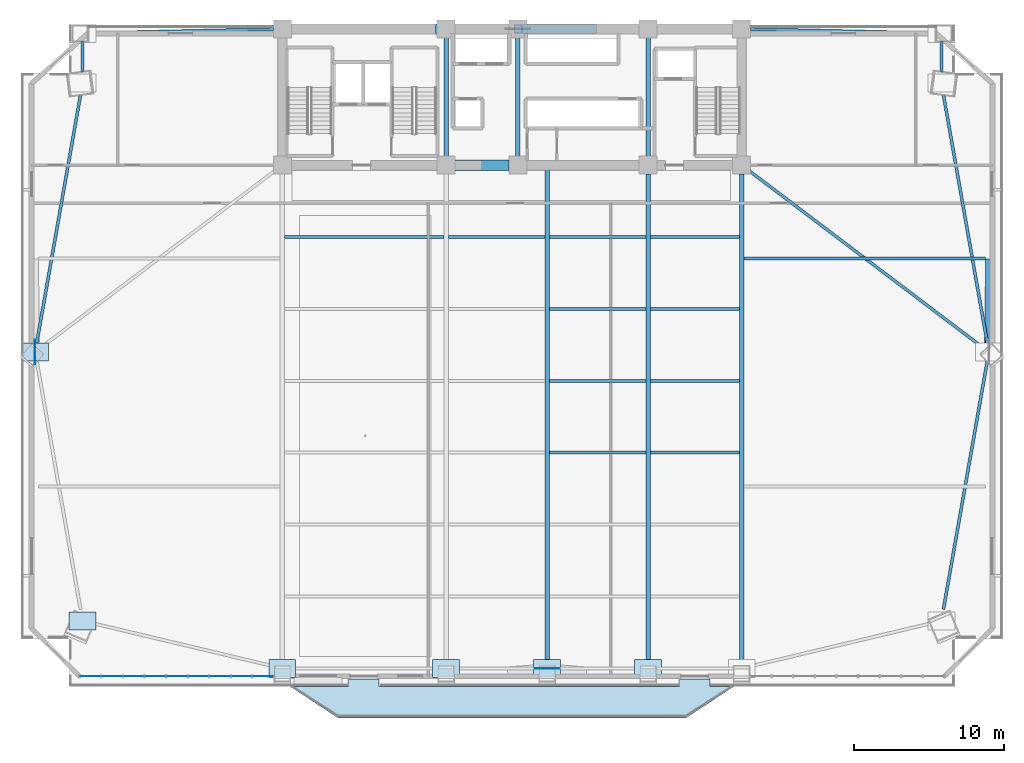
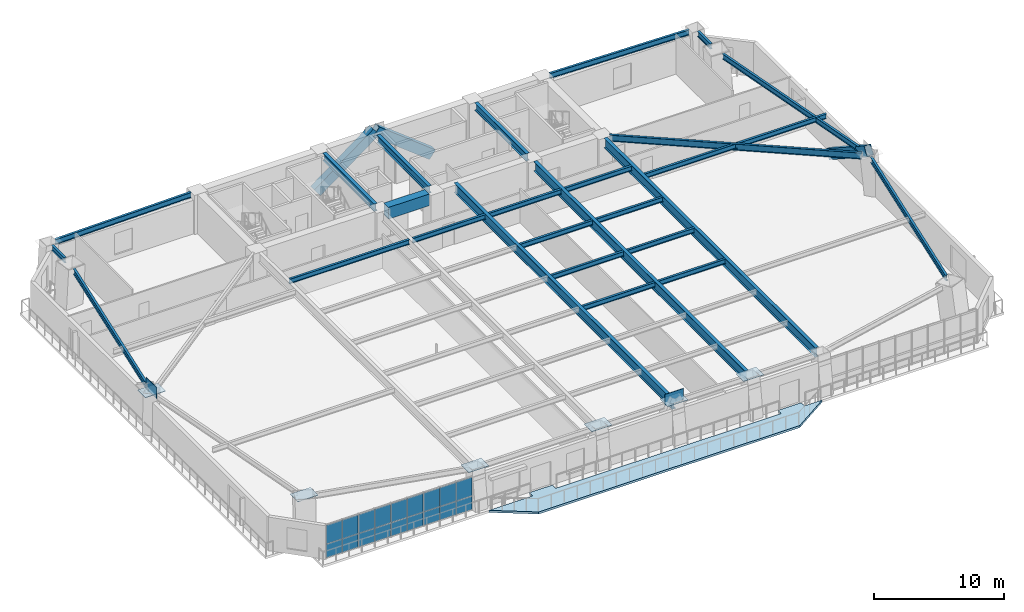
# One storey, part 7 of 17: 26 beams, 26 plates, 3 members, 1 slab, 1 element without a shape of its own.
"""IFC4 building model written with IfcOpenShell, lengths in metres."""

from ifc_helpers import new_model, si_unit, direction, frame, origin, origin_2d, place, context, subcontext, project, spatial, polyline, rectangle, hollow_rectangle, i_section, outline, extrude, source, transform, mapped, material, layer, layer_set, material_profile, profile_set, type_object, element, aggregate, save


model = new_model("IFC4")

# Units and contexts
model_context = context("Model", 3, precision=1e-05, world=origin(), true_north=direction((0.0, 1.0)))
body_context = subcontext(model_context, "Body", "Model", "MODEL_VIEW")
ifc_project = project(units=[si_unit("LENGTHUNIT", "METRE"), si_unit("AREAUNIT", "SQUARE_METRE"), si_unit("VOLUMEUNIT", "CUBIC_METRE"), si_unit("PLANEANGLEUNIT", "RADIAN"), si_unit("MASSUNIT", "GRAM", prefix="KILO")], contexts=[model_context])

# Site, building, storey
site_placement = place(None, origin())
site = spatial("IfcSite", under=ifc_project, at=site_placement, CompositionType="ELEMENT")
building_placement = place(site_placement, origin())
building = spatial("IfcBuilding", under=site, at=building_placement, Name="Giltprow Tower", CompositionType="ELEMENT")
storey_placement = place(building_placement, frame((0.0, 0.0, 33.199951171875)))
storey = spatial("IfcBuildingStorey", under=building, at=storey_placement, Name="L08", CompositionType="ELEMENT", Elevation=33.199951171875)

# Beams
ifc_material_1 = material(Name="Concrete C60", Category="concrete")
ifc_material_profile_1 = material_profile(ifc_material_1, rectangle(XDim=0.699951171875, YDim=1.10009765625, at=origin_2d()), Name="RC 1100x700")
ifc_profile_set_1 = profile_set([ifc_material_profile_1], Name="Concrete C60")
beam_type_1 = type_object("IfcBeamType", Name="BM-CPL-RC1100", PredefinedType="LINTEL", material=ifc_profile_set_1)
shared_shape_1 = source(origin(), body_context, "Body", "SweptSolid", [
    extrude(rectangle(XDim=0.699951171875, YDim=1.10009765625, at=origin_2d()), origin(), (0.0, 0.0, 1.0), 3.6298828125),
])
beam_1_placement = place(storey_placement, frame((31.385009765625, 37.449951171875, 3.130126953125), z_axis=(1.0, 0.0, 0.0), x_axis=(0.0, 1.0, 0.0)))
element("IfcBeam", 1, at=beam_1_placement, inside=storey, type_object=beam_type_1, Name="L08 Core Coupling Beam CB-1", PredefinedType="LINTEL", context=body_context, shape_type="MappedRepresentation", body=[
    mapped(shared_shape_1, transform((0.0, 0.0, 0.0), x_axis=(1.0, 0.0, 0.0), y_axis=(0.0, 1.0, 0.0), z_axis=(0.0, 0.0, 1.0), scale=1.0)),
])
ifc_material_2 = material(Name="Structural steel Q355B", Category="steel")
ifc_material_profile_2 = material_profile(ifc_material_2, i_section(OverallWidth=0.300048828125, OverallDepth=0.699951171875, WebThickness=0.012939453125, FlangeThickness=0.02392578125, at=origin_2d()), Name="HN 700x300x13x24")
ifc_profile_set_2 = profile_set([ifc_material_profile_2], Name="Structural steel Q355B")
beam_type_2 = type_object("IfcBeamType", Name="BM-GIRD-HN700", PredefinedType="BEAM", material=ifc_profile_set_2)
shared_shape_2 = source(origin(), body_context, "Body", "SweptSolid", [
    extrude(i_section(OverallWidth=0.300048828125, OverallDepth=0.699951171875, WebThickness=0.012939453125, FlangeThickness=0.02392578125, at=origin_2d()), origin(), (0.0, 0.0, 1.0), 7.93017578125),
])
for number, where, z_axis, x_axis, name in (
    (2, (30.800048828125, 38.034912109375, 3.330078125), (0.0, 1.0, 0.0), (-1.0, 0.0, 0.0), "L08 Core Tie Girder M1"),
    (3, (35.60009765625, 38.034912109375, 3.330078125), (0.0, 1.0, 0.0), (-1.0, 0.0, 0.0), "L08 Core Tie Girder M2"),
    (4, (44.300048828125, 38.034912109375, 3.330078125), (0.0, 1.0, 0.0), (-1.0, 0.0, 0.0), "L08 Core Tie Girder M3"),
):
    element("IfcBeam", number, at=place(storey_placement, frame(where, z_axis=z_axis, x_axis=x_axis)), inside=storey, type_object=beam_type_2, Name=name, PredefinedType="BEAM", context=body_context, shape_type="MappedRepresentation", body=[
        mapped(shared_shape_2, transform((0.0, 0.0, 0.0), x_axis=(1.0, 0.0, 0.0), y_axis=(0.0, 1.0, 0.0), z_axis=(0.0, 0.0, 1.0), scale=1.0)),
    ])
ifc_material_profile_3 = material_profile(ifc_material_2, i_section(OverallWidth=0.199951171875, OverallDepth=0.449951171875, WebThickness=0.009033203125, FlangeThickness=0.013916015625, at=origin_2d()), Name="HN 450x200x9x14")
ifc_profile_set_3 = profile_set([ifc_material_profile_3], Name="Structural steel Q355B")
beam_type_3 = type_object("IfcBeamType", Name="BM-JOIST-HN450", PredefinedType="JOIST", material=ifc_profile_set_3)
shared_shape_3 = source(origin(), body_context, "Body", "SweptSolid", [
    extrude(i_section(OverallWidth=0.199951171875, OverallDepth=0.449951171875, WebThickness=0.009033203125, FlangeThickness=0.013916015625, at=origin_2d()), origin(), (0.0, 0.0, 1.0), 10.659912109375),
])
beam_2_placement = place(storey_placement, frame((19.9951171875, 32.64697265625, 3.455078125), z_axis=(1.0, 0.0, 0.0), x_axis=(0.0, 1.0, 0.0)))
element("IfcBeam", 5, at=beam_2_placement, inside=storey, type_object=beam_type_3, Name="L08 Composite Floor Joist 6-1", PredefinedType="JOIST", context=body_context, shape_type="MappedRepresentation", body=[
    mapped(shared_shape_3, transform((0.0, 0.0, 0.0), x_axis=(1.0, 0.0, 0.0), y_axis=(0.0, 1.0, 0.0), z_axis=(0.0, 0.0, 1.0), scale=1.0)),
])
shared_shape_4 = source(origin(), body_context, "Body", "SweptSolid", [
    extrude(i_section(OverallWidth=0.199951171875, OverallDepth=0.449951171875, WebThickness=0.009033203125, FlangeThickness=0.013916015625, at=origin_2d()), origin(), (0.0, 0.0, 1.0), 6.4599609375),
])
for number, where, z_axis, x_axis, name in (
    (6, (37.695068359375, 18.237060546875, 3.455078125), (1.0, 0.0, 0.0), (0.0, 1.0, 0.0), "L08 Composite Floor Joist 3-3"),
    (7, (37.695068359375, 23.0400390625, 3.455078125), (1.0, 0.0, 0.0), (0.0, 1.0, 0.0), "L08 Composite Floor Joist 4-3"),
    (8, (37.695068359375, 27.843017578125, 3.455078125), (1.0, 0.0, 0.0), (0.0, 1.0, 0.0), "L08 Composite Floor Joist 5-3"),
    (9, (30.945068359375, 32.64697265625, 3.455078125), (1.0, 0.0, 0.0), (0.0, 1.0, 0.0), "L08 Composite Floor Joist 6-2"),
    (10, (37.695068359375, 32.64697265625, 3.455078125), (1.0, 0.0, 0.0), (0.0, 1.0, 0.0), "L08 Composite Floor Joist 6-3"),
):
    element("IfcBeam", number, at=place(storey_placement, frame(where, z_axis=z_axis, x_axis=x_axis)), inside=storey, type_object=beam_type_3, Name=name, PredefinedType="JOIST", context=body_context, shape_type="MappedRepresentation", body=[
        mapped(shared_shape_4, transform((0.0, 0.0, 0.0), x_axis=(1.0, 0.0, 0.0), y_axis=(0.0, 1.0, 0.0), z_axis=(0.0, 0.0, 1.0), scale=1.0)),
    ])
shared_shape_5 = source(origin(), body_context, "Body", "SweptSolid", [
    extrude(i_section(OverallWidth=0.199951171875, OverallDepth=0.449951171875, WebThickness=0.009033203125, FlangeThickness=0.013916015625, at=origin_2d()), origin(), (0.0, 0.0, 1.0), 5.9599609375),
])
for number, where, z_axis, x_axis, name in (
    (11, (44.445068359375, 18.237060546875, 3.455078125), (1.0, 0.0, 0.0), (0.0, 1.0, 0.0), "L08 Composite Floor Joist 3-4"),
    (12, (44.445068359375, 23.0400390625, 3.455078125), (1.0, 0.0, 0.0), (0.0, 1.0, 0.0), "L08 Composite Floor Joist 4-4"),
    (13, (44.445068359375, 27.843017578125, 3.455078125), (1.0, 0.0, 0.0), (0.0, 1.0, 0.0), "L08 Composite Floor Joist 5-4"),
    (14, (44.445068359375, 32.64697265625, 3.455078125), (1.0, 0.0, 0.0), (0.0, 1.0, 0.0), "L08 Composite Floor Joist 6-4"),
):
    element("IfcBeam", number, at=place(storey_placement, frame(where, z_axis=z_axis, x_axis=x_axis)), inside=storey, type_object=beam_type_3, Name=name, PredefinedType="JOIST", context=body_context, shape_type="MappedRepresentation", body=[
        mapped(shared_shape_5, transform((0.0, 0.0, 0.0), x_axis=(1.0, 0.0, 0.0), y_axis=(0.0, 1.0, 0.0), z_axis=(0.0, 0.0, 1.0), scale=1.0)),
    ])
ifc_material_profile_4 = material_profile(ifc_material_2, i_section(OverallWidth=0.199951171875, OverallDepth=0.5, WebThickness=0.010009765625, FlangeThickness=0.01611328125, at=origin_2d()), Name="HN 500x200x10x16")
ifc_profile_set_4 = profile_set([ifc_material_profile_4], Name="Structural steel Q355B")
beam_type_4 = type_object("IfcBeamType", Name="BM-SPAN-HN500", PredefinedType="SPANDREL", material=ifc_profile_set_4)
shared_shape_6 = source(origin(), body_context, "Body", "SweptSolid", [
    extrude(i_section(OverallWidth=0.199951171875, OverallDepth=0.5, WebThickness=0.010009765625, FlangeThickness=0.01611328125, at=origin_2d()), origin(), (0.0, 0.0, 1.0), 16.920166015625),
])
beam_3_placement = place(storey_placement, frame((64.028076171875, 7.77392578125, 3.429931640625), z_axis=(0.173984527619, 0.984748386213, 0.0), x_axis=(-0.984748386213, 0.173984527619, 0.0)))
element("IfcBeam", 15, at=beam_3_placement, inside=storey, type_object=beam_type_4, Name="L08 Perimeter Spandrel Beam MC_SE-E_MID", PredefinedType="SPANDREL", context=body_context, shape_type="MappedRepresentation", body=[
    mapped(shared_shape_6, transform((0.0, 0.0, 0.0), x_axis=(1.0, 0.0, 0.0), y_axis=(0.0, 1.0, 0.0), z_axis=(0.0, 0.0, 1.0), scale=1.0)),
])
shared_shape_7 = source(origin(), body_context, "Body", "SweptSolid", [
    extrude(i_section(OverallWidth=0.199951171875, OverallDepth=0.5, WebThickness=0.010009765625, FlangeThickness=0.01611328125, at=origin_2d()), origin(), (0.0, 0.0, 1.0), 16.921142578125),
])
for number, where, z_axis, x_axis, name in (
    (16, (66.971923828125, 25.489990234375, 3.429931640625), (-0.173974639654, 0.984750133159, 0.0), (-0.984750133159, -0.173974639654, 0.0), "L08 Perimeter Spandrel Beam E_MID-MC_NE"),
    (17, (6.3720703125, 42.153076171875, 3.429931640625), (-0.173988631052, -0.984747661213, 0.0), (0.984747661213, -0.173988631052, 0.0), "L08 Perimeter Spandrel Beam MC_NW-W_MID"),
):
    element("IfcBeam", number, at=place(storey_placement, frame(where, z_axis=z_axis, x_axis=x_axis)), inside=storey, type_object=beam_type_4, Name=name, PredefinedType="SPANDREL", context=body_context, shape_type="MappedRepresentation", body=[
        mapped(shared_shape_7, transform((0.0, 0.0, 0.0), x_axis=(1.0, 0.0, 0.0), y_axis=(0.0, 1.0, 0.0), z_axis=(0.0, 0.0, 1.0), scale=1.0)),
    ])
shared_shape_8 = source(origin(), body_context, "Body", "SweptSolid", [
    extrude(i_section(OverallWidth=0.199951171875, OverallDepth=0.5, WebThickness=0.010009765625, FlangeThickness=0.01611328125, at=origin_2d()), origin(), (0.0, 0.0, 1.0), 2.004150390625),
])
for number, where, z_axis, x_axis, name in (
    (18, (63.89111328125, 43.7109375, 3.429931640625), (0.0, 1.0, 0.0), (-1.0, 0.0, 0.0), "L08 Perimeter Spandrel Beam MC_NE-N_E"),
    (19, (6.509033203125, 45.715087890625, 3.429931640625), (0.0, -1.0, 0.0), (1.0, 0.0, 0.0), "L08 Perimeter Spandrel Beam N_W-MC_NW"),
):
    element("IfcBeam", number, at=place(storey_placement, frame(where, z_axis=z_axis, x_axis=x_axis)), inside=storey, type_object=beam_type_4, Name=name, PredefinedType="SPANDREL", context=body_context, shape_type="MappedRepresentation", body=[
        mapped(shared_shape_8, transform((0.0, 0.0, 0.0), x_axis=(1.0, 0.0, 0.0), y_axis=(0.0, 1.0, 0.0), z_axis=(0.0, 0.0, 1.0), scale=1.0)),
    ])
shared_shape_9 = source(origin(), body_context, "Body", "SweptSolid", [
    extrude(i_section(OverallWidth=0.199951171875, OverallDepth=0.5, WebThickness=0.010009765625, FlangeThickness=0.01611328125, at=origin_2d()), origin(), (0.0, 0.0, 1.0), 12.22412109375),
])
for number, where, z_axis, x_axis, name in (
    (20, (7.0439453125, 46.261962890625, 3.429931640625), (0.999746648703, 0.022508629624, 0.0), (-0.022508629624, 0.999746648703, 0.0), "L08 North Wing Spandrel W"),
    (21, (51.135009765625, 46.537109375, 3.429931640625), (0.999746648703, -0.022508629624, 0.0), (0.022508629624, 0.999746648703, 0.0), "L08 North Wing Spandrel E"),
):
    element("IfcBeam", number, at=place(storey_placement, frame(where, z_axis=z_axis, x_axis=x_axis)), inside=storey, type_object=beam_type_4, Name=name, PredefinedType="SPANDREL", context=body_context, shape_type="MappedRepresentation", body=[
        mapped(shared_shape_9, transform((0.0, 0.0, 0.0), x_axis=(1.0, 0.0, 0.0), y_axis=(0.0, 1.0, 0.0), z_axis=(0.0, 0.0, 1.0), scale=1.0)),
    ])
ifc_material_profile_5 = material_profile(ifc_material_2, i_section(OverallWidth=0.300048828125, OverallDepth=0.89990234375, WebThickness=0.01611328125, FlangeThickness=0.028076171875, at=origin_2d()), Name="HN 900x300x16x28")
ifc_profile_set_5 = profile_set([ifc_material_profile_5], Name="Structural steel Q355B")
beam_type_5 = type_object("IfcBeamType", Name="BM-GIRD-HN900", PredefinedType="BEAM", material=ifc_profile_set_5)
shared_shape_10 = source(origin(), body_context, "Body", "SweptSolid", [
    extrude(i_section(OverallWidth=0.300048828125, OverallDepth=0.89990234375, WebThickness=0.01611328125, FlangeThickness=0.028076171875, at=origin_2d()), origin(), (0.0, 0.0, 1.0), 32.5029296875),
])
for number, where, z_axis, x_axis, name in (
    (22, (44.300048828125, 4.362060546875, 3.22998046875), (0.0, 1.0, 0.0), (-1.0, 0.0, 0.0), "L08 Primary Lease Girder S3"),
    (23, (50.550048828125, 4.362060546875, 3.22998046875), (0.0, 1.0, 0.0), (-1.0, 0.0, 0.0), "L08 Primary Lease Girder S4"),
):
    element("IfcBeam", number, at=place(storey_placement, frame(where, z_axis=z_axis, x_axis=x_axis)), inside=storey, type_object=beam_type_5, Name=name, PredefinedType="BEAM", context=body_context, shape_type="MappedRepresentation", body=[
        mapped(shared_shape_10, transform((0.0, 0.0, 0.0), x_axis=(1.0, 0.0, 0.0), y_axis=(0.0, 1.0, 0.0), z_axis=(0.0, 0.0, 1.0), scale=1.0)),
    ])
shared_shape_11 = source(origin(), body_context, "Body", "SweptSolid", [
    extrude(i_section(OverallWidth=0.300048828125, OverallDepth=0.89990234375, WebThickness=0.01611328125, FlangeThickness=0.028076171875, at=origin_2d()), origin(), (0.0, 0.0, 1.0), 33.623046875),
])
beam_4_placement = place(storey_placement, frame((37.550048828125, 3.826904296875, 3.22998046875), z_axis=(0.0, 1.0, 0.0), x_axis=(-1.0, 0.0, 0.0)))
element("IfcBeam", 24, at=beam_4_placement, inside=storey, type_object=beam_type_5, Name="L08 Central Lease Girder SMID", PredefinedType="BEAM", context=body_context, shape_type="MappedRepresentation", body=[
    mapped(shared_shape_11, transform((0.0, 0.0, 0.0), x_axis=(1.0, 0.0, 0.0), y_axis=(0.0, 1.0, 0.0), z_axis=(0.0, 0.0, 1.0), scale=1.0)),
])
ifc_material_profile_6 = material_profile(ifc_material_2, i_section(OverallWidth=0.199951171875, OverallDepth=0.60009765625, WebThickness=0.010986328125, FlangeThickness=0.01708984375, at=origin_2d()), Name="HN 600x200x11x17")
ifc_profile_set_6 = profile_set([ifc_material_profile_6], Name="Structural steel Q355B")
beam_type_6 = type_object("IfcBeamType", Name="BM-GIRD-HN600", PredefinedType="BEAM", material=ifc_profile_set_6)
shared_shape_12 = source(origin(), body_context, "Body", "SweptSolid", [
    extrude(i_section(OverallWidth=0.199951171875, OverallDepth=0.60009765625, WebThickness=0.010986328125, FlangeThickness=0.01708984375, at=origin_2d()), origin(), (0.0, 0.0, 1.0), 19.58349609375),
])
beam_5_placement = place(storey_placement, frame((66.637939453125, 25.285888671875, 3.380126953125), z_axis=(-0.797655674311, 0.60311311148, 0.0), x_axis=(-0.60311311148, -0.797655674311, 0.0)))
element("IfcBeam", 25, at=beam_5_placement, inside=storey, type_object=beam_type_6, Name="L08 East Wing Primary Girder", PredefinedType="BEAM", context=body_context, shape_type="MappedRepresentation", body=[
    mapped(shared_shape_12, transform((0.0, 0.0, 0.0), x_axis=(1.0, 0.0, 0.0), y_axis=(0.0, 1.0, 0.0), z_axis=(0.0, 0.0, 1.0), scale=1.0)),
])
shared_shape_13 = source(origin(), body_context, "Body", "SweptSolid", [
    extrude(i_section(OverallWidth=0.199951171875, OverallDepth=0.449951171875, WebThickness=0.009033203125, FlangeThickness=0.013916015625, at=origin_2d()), origin(), (0.0, 0.0, 1.0), 16.14990234375),
])
beam_6_placement = place(storey_placement, frame((50.695068359375, 31.20703125, 3.455078125), z_axis=(1.0, 0.0, 0.0), x_axis=(0.0, 1.0, 0.0)))
element("IfcBeam", 26, at=beam_6_placement, inside=storey, type_object=beam_type_3, Name="L08 East Wing Floor Joist 2", PredefinedType="JOIST", context=body_context, shape_type="MappedRepresentation", body=[
    mapped(shared_shape_13, transform((0.0, 0.0, 0.0), x_axis=(1.0, 0.0, 0.0), y_axis=(0.0, 1.0, 0.0), z_axis=(0.0, 0.0, 1.0), scale=1.0)),
])

# Members
ifc_material_3 = material(Name="Structural steel Q420GJC", Category="steel")
ifc_material_profile_7 = material_profile(ifc_material_3, hollow_rectangle(XDim=0.60009765625, YDim=0.89990234375, WallThickness=0.0400390625, at=origin_2d()), Name="RHS 900x600x40")
ifc_profile_set_7 = profile_set([ifc_material_profile_7], Name="Structural steel Q420GJC")
member_type = type_object("IfcMemberType", Name="MBR-MEGA-RHS900", PredefinedType="BRACE", material=ifc_profile_set_7)
shared_shape_14 = source(origin(), body_context, "Body", "SweptSolid", [
    extrude(hollow_rectangle(XDim=0.60009765625, YDim=0.89990234375, WallThickness=0.0400390625, at=origin_2d()), origin(), (0.0, 0.0, 1.0), 6.5400390625),
])
member_1_placement = place(storey_placement, frame((30.35009765625, 46.550048828125, -0.139892578125), z_axis=(0.802750995836, 0.0, 0.596314379068), x_axis=(0.0, 1.0, 0.0)))
element("IfcMember", 27, at=member_1_placement, inside=storey, type_object=member_type, Name="L08 Chevron Mega-Brace N-L", PredefinedType="BRACE", context=body_context, shape_type="MappedRepresentation", body=[
    mapped(shared_shape_14, transform((0.0, 0.0, 0.0), x_axis=(1.0, 0.0, 0.0), y_axis=(0.0, 1.0, 0.0), z_axis=(0.0, 0.0, 1.0), scale=1.0)),
])
shared_shape_15 = source(origin(), body_context, "Body", "SweptSolid", [
    extrude(hollow_rectangle(XDim=0.60009765625, YDim=0.89990234375, WallThickness=0.0400390625, at=origin_2d()), origin(), (0.0, 0.0, 1.0), 7.138916015625),
])
member_2_placement = place(storey_placement, frame((67.14306640625, 30.94189453125, 0.0), z_axis=(-0.01094336512, -0.837509411825, 0.54631330559), x_axis=(0.999914643464, -0.013065442463, 0.0)))
element("IfcMember", 28, at=member_2_placement, inside=storey, type_object=member_type, Name="L08 Chevron Mega-Brace E-R", PredefinedType="BRACE", context=body_context, shape_type="MappedRepresentation", body=[
    mapped(shared_shape_15, transform((0.0, 0.0, 0.0), x_axis=(1.0, 0.0, 0.0), y_axis=(0.0, 1.0, 0.0), z_axis=(0.0, 0.0, 1.0), scale=1.0)),
])
shared_shape_16 = source(origin(), body_context, "Body", "SweptSolid", [
    extrude(hollow_rectangle(XDim=0.60009765625, YDim=0.89990234375, WallThickness=0.0400390625, at=origin_2d()), origin(), (0.0, 0.0, 1.0), 6.32763671875),
])
member_3_placement = place(storey_placement, frame((40.5830078125, 46.550048828125, -0.139892578125), z_axis=(-0.787487088571, 0.0, 0.616331149086), x_axis=(0.0, -1.0, 0.0)))
element("IfcMember", 29, at=member_3_placement, inside=storey, type_object=member_type, Name="L08 Chevron Mega-Brace N-R", PredefinedType="BRACE", context=body_context, shape_type="MappedRepresentation", body=[
    mapped(shared_shape_16, transform((0.0, 0.0, 0.0), x_axis=(1.0, 0.0, 0.0), y_axis=(0.0, 1.0, 0.0), z_axis=(0.0, 0.0, 1.0), scale=1.0)),
])

# Slab
ifc_material_4 = material(Name="Concrete C40", Category="concrete")
ifc_layer_1 = layer(ifc_material_4, 0.199951171875, Name="Concrete C40")
ifc_layer_set_1 = layer_set([ifc_layer_1], Name="Concrete C40")
slab_type = type_object("IfcSlabType", Name="SLB-BALC-BRONZE-200", PredefinedType="FLOOR", material=ifc_layer_set_1)
slab_placement = place(storey_placement, frame((0.0, 0.0, -0.199951171875)))
element("IfcSlab", 30, at=slab_placement, inside=storey, type_object=slab_type, Name="L08 Bronze Prow Waterfront Balcony Slab", PredefinedType="FLOOR", context=body_context, shape_type="SweptSolid", body=[
    extrude(outline(polyline([(50.0, 2.60009765625), (46.800048828125, 0.5), (23.60009765625, 0.5), (20.39990234375, 2.60009765625), (24.280029296875, 2.60009765625), (24.280029296875, 3.10009765625), (26.320068359375, 3.10009765625), (26.320068359375, 2.60009765625), (46.3798828125, 2.60009765625), (46.3798828125, 3.10009765625), (48.419921875, 3.10009765625), (48.419921875, 2.60009765625), (50.0, 2.60009765625)])), origin(), (0.0, 0.0, 1.0), 0.199951171875),
])

# Plates
plate_type_1 = type_object("IfcPlateType", Name="PLT-NODE-CKN1", PredefinedType="USERDEFINED", material=ifc_material_3)
shared_shape_17 = source(origin(), body_context, "Body", "SweptSolid", [
    extrude(rectangle(XDim=1.800048828125, YDim=1.199951171875, at=origin_2d()), origin(), (0.0, 0.0, 1.0), 0.044921875),
])
for number, where, z_axis, x_axis, name in (
    (31, (6.509033203125, 7.0009765625, 3.6376953125), (0.0, 0.0, 1.0), (1.0, 0.0, 0.0), "CKN1 Column Taper Splice Node L08-MC_SW"),
    (32, (19.85009765625, 3.826904296875, 3.6376953125), (0.0, 0.0, 1.0), (1.0, 0.0, 0.0), "CKN1 Column Taper Splice Node L08-S1"),
    (33, (30.800048828125, 3.826904296875, 3.6376953125), (0.0, 0.0, 1.0), (1.0, 0.0, 0.0), "CKN1 Column Taper Splice Node L08-S2"),
    (34, (37.550048828125, 3.826904296875, 3.6376953125), (0.0, 0.0, 1.0), (1.0, 0.0, 0.0), "CKN1 Column Taper Splice Node L08-S_MID"),
    (35, (44.300048828125, 3.826904296875, 3.6376953125), (0.0, 0.0, 1.0), (1.0, 0.0, 0.0), "CKN1 Column Taper Splice Node L08-S3"),
    (36, (3.3349609375, 24.962890625, 3.6376953125), (0.0, 0.0, 1.0), (1.0, 0.0, 0.0), "CKN1 Column Taper Splice Node L08-W_MID"),
):
    element("IfcPlate", number, at=place(storey_placement, frame(where, z_axis=z_axis, x_axis=x_axis)), inside=storey, type_object=plate_type_1, Name=name, ObjectType="SPLICE", PredefinedType="USERDEFINED", context=body_context, shape_type="MappedRepresentation", body=[
        mapped(shared_shape_17, transform((0.0, 0.0, 0.0), x_axis=(1.0, 0.0, 0.0), y_axis=(0.0, 1.0, 0.0), z_axis=(0.0, 0.0, 1.0), scale=1.0)),
    ])
plate_type_2 = type_object("IfcPlateType", Name="PLT-NODE-MBN2", PredefinedType="USERDEFINED", material=ifc_material_3)
shared_shape_18 = source(origin(), body_context, "Body", "SweptSolid", [
    extrude(rectangle(XDim=1.64990234375, YDim=0.044921875, at=origin_2d()), origin(), (0.0, 0.0, 1.0), 1.050048828125),
])
for number, where, z_axis, x_axis, name in (
    (37, (37.550048828125, 3.826904296875, 3.375), (0.0, 0.0, 1.0), (1.0, 0.0, 0.0), "Mega-Brace Node L08-S-LB"),
    (38, (3.3349609375, 24.962890625, 3.375), (0.0, 0.0, 1.0), (0.0, 1.0, 0.0), "Mega-Brace Node L08-W-RB"),
):
    element("IfcPlate", number, at=place(storey_placement, frame(where, z_axis=z_axis, x_axis=x_axis)), inside=storey, type_object=plate_type_2, Name=name, ObjectType="GUSSET", PredefinedType="USERDEFINED", context=body_context, shape_type="MappedRepresentation", body=[
        mapped(shared_shape_18, transform((0.0, 0.0, 0.0), x_axis=(1.0, 0.0, 0.0), y_axis=(0.0, 1.0, 0.0), z_axis=(0.0, 0.0, 1.0), scale=1.0)),
    ])

# Curtain wall, plates
ifc_material_5 = material(Name="Anodized bronze", Category="metal")
ifc_layer_2 = layer(ifc_material_5, 0.179931640625, Name="Anodized bronze")
ifc_layer_set_2 = layer_set([ifc_layer_2], Name="Anodized bronze")
curtain_wall_type = type_object("IfcCurtainWallType", Name="CW-OFF-RECESSED", PredefinedType="NOTDEFINED", material=ifc_layer_set_2)
curtain_wall_placement = place(storey_placement, origin())
curtain_wall = element("IfcCurtainWall", 39, at=curtain_wall_placement, inside=storey, type_object=curtain_wall_type, Name="L08 South Recessed Curtain Wall 1", PredefinedType="NOTDEFINED")
ifc_material_6 = material(Name="Insulated glass", Category="glass")
plate_type_3 = type_object("IfcPlateType", Name="CW-PANEL-IGU-28", PredefinedType="CURTAIN_PANEL", material=ifc_material_6)
shared_shape_19 = source(origin(), body_context, "Body", "SweptSolid", [
    extrude(rectangle(XDim=1.4140625, YDim=0.028076171875, at=origin_2d()), origin(), (0.0, 0.0, 1.0), 1.259033203125),
])
plate_1_placement = place(storey_placement, frame((7.02197265625, 3.300048828125, 0.0537109375), z_axis=(0.0, 0.0, 1.0), x_axis=(1.0, 0.0, 0.0)))
plate_1 = element("IfcPlate", 40, at=plate_1_placement, type_object=plate_type_3, Name="L08 South Recessed Curtain Wall 1 Glazing Panel 1-1", PredefinedType="CURTAIN_PANEL", context=body_context, shape_type="MappedRepresentation", body=[
    mapped(shared_shape_19, transform((0.0, 0.0, 0.0), x_axis=(1.0, 0.0, 0.0), y_axis=(0.0, 1.0, 0.0), z_axis=(0.0, 0.0, 1.0), scale=1.0)),
])
plate_2_placement = place(storey_placement, frame((8.467041015625, 3.300048828125, 0.0537109375), z_axis=(0.0, 0.0, 1.0), x_axis=(1.0, 0.0, 0.0)))
plate_2 = element("IfcPlate", 41, at=plate_2_placement, type_object=plate_type_3, Name="L08 South Recessed Curtain Wall 1 Glazing Panel 2-1", PredefinedType="CURTAIN_PANEL", context=body_context, shape_type="MappedRepresentation", body=[
    mapped(shared_shape_19, transform((0.0, 0.0, 0.0), x_axis=(1.0, 0.0, 0.0), y_axis=(0.0, 1.0, 0.0), z_axis=(0.0, 0.0, 1.0), scale=1.0)),
])
plate_3_placement = place(storey_placement, frame((9.910888671875, 3.300048828125, 0.0537109375), z_axis=(0.0, 0.0, 1.0), x_axis=(1.0, 0.0, 0.0)))
plate_3 = element("IfcPlate", 42, at=plate_3_placement, type_object=plate_type_3, Name="L08 South Recessed Curtain Wall 1 Glazing Panel 3-1", PredefinedType="CURTAIN_PANEL", context=body_context, shape_type="MappedRepresentation", body=[
    mapped(shared_shape_19, transform((0.0, 0.0, 0.0), x_axis=(1.0, 0.0, 0.0), y_axis=(0.0, 1.0, 0.0), z_axis=(0.0, 0.0, 1.0), scale=1.0)),
])
plate_4_placement = place(storey_placement, frame((11.35595703125, 3.300048828125, 0.0537109375), z_axis=(0.0, 0.0, 1.0), x_axis=(1.0, 0.0, 0.0)))
plate_4 = element("IfcPlate", 43, at=plate_4_placement, type_object=plate_type_3, Name="L08 South Recessed Curtain Wall 1 Glazing Panel 4-1", PredefinedType="CURTAIN_PANEL", context=body_context, shape_type="MappedRepresentation", body=[
    mapped(shared_shape_19, transform((0.0, 0.0, 0.0), x_axis=(1.0, 0.0, 0.0), y_axis=(0.0, 1.0, 0.0), z_axis=(0.0, 0.0, 1.0), scale=1.0)),
])
plate_5_placement = place(storey_placement, frame((12.800048828125, 3.300048828125, 0.0537109375), z_axis=(0.0, 0.0, 1.0), x_axis=(1.0, 0.0, 0.0)))
plate_5 = element("IfcPlate", 44, at=plate_5_placement, type_object=plate_type_3, Name="L08 South Recessed Curtain Wall 1 Glazing Panel 5-1", PredefinedType="CURTAIN_PANEL", context=body_context, shape_type="MappedRepresentation", body=[
    mapped(shared_shape_19, transform((0.0, 0.0, 0.0), x_axis=(1.0, 0.0, 0.0), y_axis=(0.0, 1.0, 0.0), z_axis=(0.0, 0.0, 1.0), scale=1.0)),
])
plate_6_placement = place(storey_placement, frame((14.243896484375, 3.300048828125, 0.0537109375), z_axis=(0.0, 0.0, 1.0), x_axis=(1.0, 0.0, 0.0)))
plate_6 = element("IfcPlate", 45, at=plate_6_placement, type_object=plate_type_3, Name="L08 South Recessed Curtain Wall 1 Glazing Panel 6-1", PredefinedType="CURTAIN_PANEL", context=body_context, shape_type="MappedRepresentation", body=[
    mapped(shared_shape_19, transform((0.0, 0.0, 0.0), x_axis=(1.0, 0.0, 0.0), y_axis=(0.0, 1.0, 0.0), z_axis=(0.0, 0.0, 1.0), scale=1.0)),
])
plate_7_placement = place(storey_placement, frame((15.68896484375, 3.300048828125, 0.0537109375), z_axis=(0.0, 0.0, 1.0), x_axis=(1.0, 0.0, 0.0)))
plate_7 = element("IfcPlate", 46, at=plate_7_placement, type_object=plate_type_3, Name="L08 South Recessed Curtain Wall 1 Glazing Panel 7-1", PredefinedType="CURTAIN_PANEL", context=body_context, shape_type="MappedRepresentation", body=[
    mapped(shared_shape_19, transform((0.0, 0.0, 0.0), x_axis=(1.0, 0.0, 0.0), y_axis=(0.0, 1.0, 0.0), z_axis=(0.0, 0.0, 1.0), scale=1.0)),
])
plate_8_placement = place(storey_placement, frame((17.133056640625, 3.300048828125, 0.0537109375), z_axis=(0.0, 0.0, 1.0), x_axis=(1.0, 0.0, 0.0)))
plate_8 = element("IfcPlate", 47, at=plate_8_placement, type_object=plate_type_3, Name="L08 South Recessed Curtain Wall 1 Glazing Panel 8-1", PredefinedType="CURTAIN_PANEL", context=body_context, shape_type="MappedRepresentation", body=[
    mapped(shared_shape_19, transform((0.0, 0.0, 0.0), x_axis=(1.0, 0.0, 0.0), y_axis=(0.0, 1.0, 0.0), z_axis=(0.0, 0.0, 1.0), scale=1.0)),
])
plate_9_placement = place(storey_placement, frame((18.577880859375, 3.300048828125, 0.0537109375), z_axis=(0.0, 0.0, 1.0), x_axis=(1.0, 0.0, 0.0)))
plate_9 = element("IfcPlate", 48, at=plate_9_placement, type_object=plate_type_3, Name="L08 South Recessed Curtain Wall 1 Glazing Panel 9-1", PredefinedType="CURTAIN_PANEL", context=body_context, shape_type="MappedRepresentation", body=[
    mapped(shared_shape_19, transform((0.0, 0.0, 0.0), x_axis=(1.0, 0.0, 0.0), y_axis=(0.0, 1.0, 0.0), z_axis=(0.0, 0.0, 1.0), scale=1.0)),
])
shared_shape_20 = source(origin(), body_context, "Body", "SweptSolid", [
    extrude(rectangle(XDim=1.4140625, YDim=0.028076171875, at=origin_2d()), origin(), (0.0, 0.0, 1.0), 1.764892578125),
])
plate_10_placement = place(storey_placement, frame((7.02197265625, 3.300048828125, 1.341796875), z_axis=(0.0, 0.0, 1.0), x_axis=(1.0, 0.0, 0.0)))
plate_10 = element("IfcPlate", 49, at=plate_10_placement, type_object=plate_type_3, Name="L08 South Recessed Curtain Wall 1 Glazing Panel 1-2", PredefinedType="CURTAIN_PANEL", context=body_context, shape_type="MappedRepresentation", body=[
    mapped(shared_shape_20, transform((0.0, 0.0, 0.0), x_axis=(1.0, 0.0, 0.0), y_axis=(0.0, 1.0, 0.0), z_axis=(0.0, 0.0, 1.0), scale=1.0)),
])
plate_11_placement = place(storey_placement, frame((8.467041015625, 3.300048828125, 1.341796875), z_axis=(0.0, 0.0, 1.0), x_axis=(1.0, 0.0, 0.0)))
plate_11 = element("IfcPlate", 50, at=plate_11_placement, type_object=plate_type_3, Name="L08 South Recessed Curtain Wall 1 Glazing Panel 2-2", PredefinedType="CURTAIN_PANEL", context=body_context, shape_type="MappedRepresentation", body=[
    mapped(shared_shape_20, transform((0.0, 0.0, 0.0), x_axis=(1.0, 0.0, 0.0), y_axis=(0.0, 1.0, 0.0), z_axis=(0.0, 0.0, 1.0), scale=1.0)),
])
plate_12_placement = place(storey_placement, frame((9.910888671875, 3.300048828125, 1.341796875), z_axis=(0.0, 0.0, 1.0), x_axis=(1.0, 0.0, 0.0)))
plate_12 = element("IfcPlate", 51, at=plate_12_placement, type_object=plate_type_3, Name="L08 South Recessed Curtain Wall 1 Glazing Panel 3-2", PredefinedType="CURTAIN_PANEL", context=body_context, shape_type="MappedRepresentation", body=[
    mapped(shared_shape_20, transform((0.0, 0.0, 0.0), x_axis=(1.0, 0.0, 0.0), y_axis=(0.0, 1.0, 0.0), z_axis=(0.0, 0.0, 1.0), scale=1.0)),
])
plate_13_placement = place(storey_placement, frame((11.35595703125, 3.300048828125, 1.341796875), z_axis=(0.0, 0.0, 1.0), x_axis=(1.0, 0.0, 0.0)))
plate_13 = element("IfcPlate", 52, at=plate_13_placement, type_object=plate_type_3, Name="L08 South Recessed Curtain Wall 1 Glazing Panel 4-2", PredefinedType="CURTAIN_PANEL", context=body_context, shape_type="MappedRepresentation", body=[
    mapped(shared_shape_20, transform((0.0, 0.0, 0.0), x_axis=(1.0, 0.0, 0.0), y_axis=(0.0, 1.0, 0.0), z_axis=(0.0, 0.0, 1.0), scale=1.0)),
])
plate_14_placement = place(storey_placement, frame((12.800048828125, 3.300048828125, 1.341796875), z_axis=(0.0, 0.0, 1.0), x_axis=(1.0, 0.0, 0.0)))
plate_14 = element("IfcPlate", 53, at=plate_14_placement, type_object=plate_type_3, Name="L08 South Recessed Curtain Wall 1 Glazing Panel 5-2", PredefinedType="CURTAIN_PANEL", context=body_context, shape_type="MappedRepresentation", body=[
    mapped(shared_shape_20, transform((0.0, 0.0, 0.0), x_axis=(1.0, 0.0, 0.0), y_axis=(0.0, 1.0, 0.0), z_axis=(0.0, 0.0, 1.0), scale=1.0)),
])
plate_15_placement = place(storey_placement, frame((14.243896484375, 3.300048828125, 1.341796875), z_axis=(0.0, 0.0, 1.0), x_axis=(1.0, 0.0, 0.0)))
plate_15 = element("IfcPlate", 54, at=plate_15_placement, type_object=plate_type_3, Name="L08 South Recessed Curtain Wall 1 Glazing Panel 6-2", PredefinedType="CURTAIN_PANEL", context=body_context, shape_type="MappedRepresentation", body=[
    mapped(shared_shape_20, transform((0.0, 0.0, 0.0), x_axis=(1.0, 0.0, 0.0), y_axis=(0.0, 1.0, 0.0), z_axis=(0.0, 0.0, 1.0), scale=1.0)),
])
plate_16_placement = place(storey_placement, frame((15.68896484375, 3.300048828125, 1.341796875), z_axis=(0.0, 0.0, 1.0), x_axis=(1.0, 0.0, 0.0)))
plate_16 = element("IfcPlate", 55, at=plate_16_placement, type_object=plate_type_3, Name="L08 South Recessed Curtain Wall 1 Glazing Panel 7-2", PredefinedType="CURTAIN_PANEL", context=body_context, shape_type="MappedRepresentation", body=[
    mapped(shared_shape_20, transform((0.0, 0.0, 0.0), x_axis=(1.0, 0.0, 0.0), y_axis=(0.0, 1.0, 0.0), z_axis=(0.0, 0.0, 1.0), scale=1.0)),
])
plate_17_placement = place(storey_placement, frame((17.133056640625, 3.300048828125, 1.341796875), z_axis=(0.0, 0.0, 1.0), x_axis=(1.0, 0.0, 0.0)))
plate_17 = element("IfcPlate", 56, at=plate_17_placement, type_object=plate_type_3, Name="L08 South Recessed Curtain Wall 1 Glazing Panel 8-2", PredefinedType="CURTAIN_PANEL", context=body_context, shape_type="MappedRepresentation", body=[
    mapped(shared_shape_20, transform((0.0, 0.0, 0.0), x_axis=(1.0, 0.0, 0.0), y_axis=(0.0, 1.0, 0.0), z_axis=(0.0, 0.0, 1.0), scale=1.0)),
])
plate_18_placement = place(storey_placement, frame((18.577880859375, 3.300048828125, 1.341796875), z_axis=(0.0, 0.0, 1.0), x_axis=(1.0, 0.0, 0.0)))
plate_18 = element("IfcPlate", 57, at=plate_18_placement, type_object=plate_type_3, Name="L08 South Recessed Curtain Wall 1 Glazing Panel 9-2", PredefinedType="CURTAIN_PANEL", context=body_context, shape_type="MappedRepresentation", body=[
    mapped(shared_shape_20, transform((0.0, 0.0, 0.0), x_axis=(1.0, 0.0, 0.0), y_axis=(0.0, 1.0, 0.0), z_axis=(0.0, 0.0, 1.0), scale=1.0)),
])
aggregate(curtain_wall, [plate_1, plate_10, plate_2, plate_11, plate_3, plate_12, plate_4, plate_13, plate_5, plate_14, plate_6, plate_15, plate_7, plate_16, plate_8, plate_17, plate_9, plate_18])

save(model, "model.ifc")
